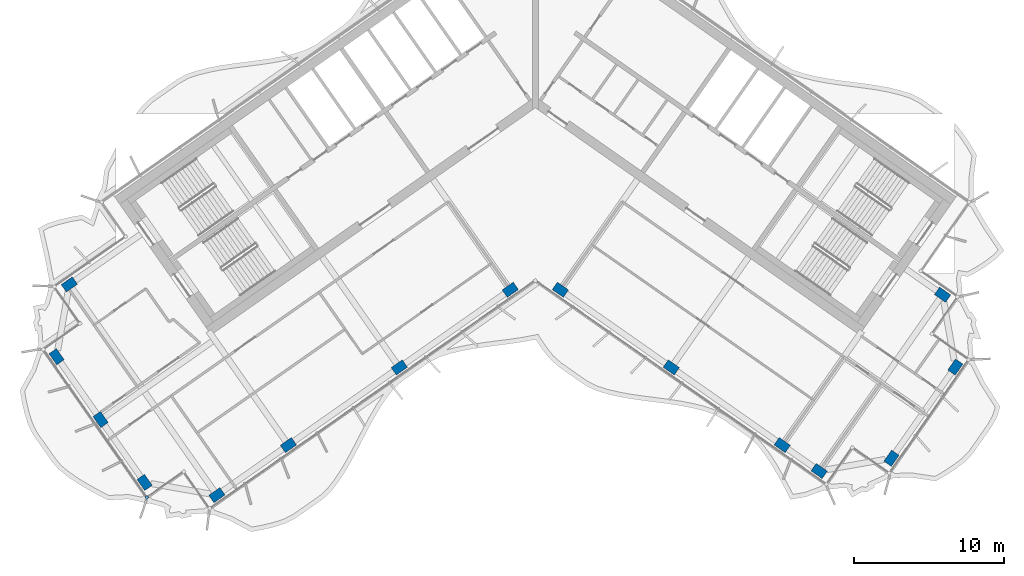
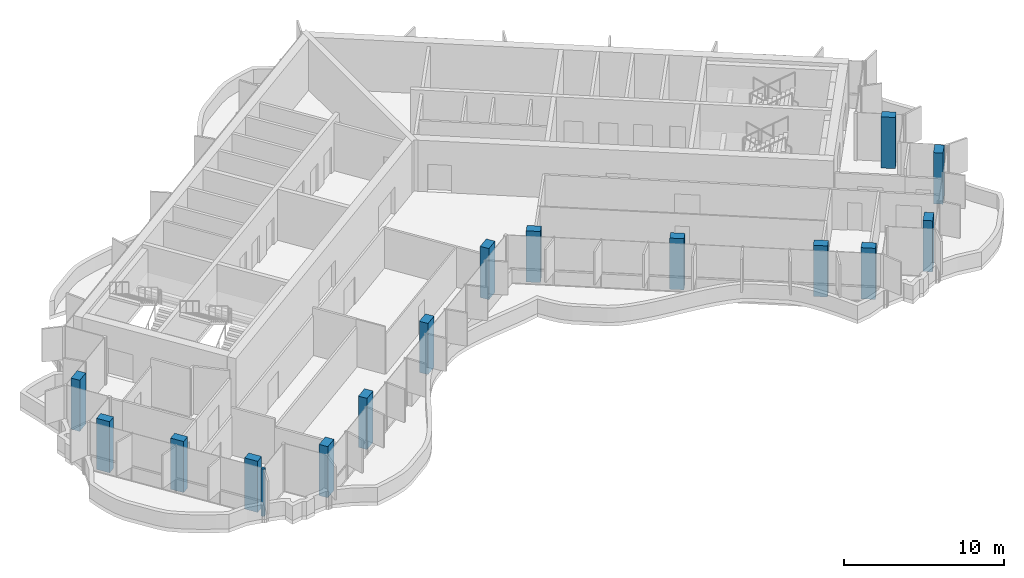
# One storey, part 1 of 17: 15 columns, 1 member, 1 element without a shape of its own.
"""IFC4 building model written with IfcOpenShell, lengths in metres."""

from ifc_helpers import new_model, si_unit, direction, frame, origin, origin_2d, place, context, subcontext, project, spatial, rectangle, extrude, material, material_profile, profile_set, type_object, element, aggregate, save


model = new_model("IFC4")

# Units and contexts
model_context = context("Model", 3, precision=1e-05, world=origin(), true_north=direction((0.0, 1.0)))
body_context = subcontext(model_context, "Body", "Model", "MODEL_VIEW")
ifc_project = project(units=[si_unit("LENGTHUNIT", "METRE"), si_unit("AREAUNIT", "SQUARE_METRE"), si_unit("VOLUMEUNIT", "CUBIC_METRE"), si_unit("PLANEANGLEUNIT", "RADIAN"), si_unit("MASSUNIT", "GRAM", prefix="KILO")], contexts=[model_context])

# Site, building, storey
site_placement = place(None, origin())
site = spatial("IfcSite", under=ifc_project, at=site_placement, CompositionType="ELEMENT")
building_placement = place(site_placement, origin())
building = spatial("IfcBuilding", under=site, at=building_placement, Name="Tel Ilan Convention Tower", CompositionType="ELEMENT")
storey_placement = place(building_placement, frame((0.0, 0.0, 287.800048828125)))
storey = spatial("IfcBuildingStorey", under=building, at=storey_placement, Name="L68", CompositionType="ELEMENT", Elevation=287.800048828125)

# Columns
ifc_material_1 = material(Name="Concrete C40/50", Category="concrete")
ifc_material_profile_1 = material_profile(ifc_material_1, rectangle(XDim=0.89990234375, YDim=0.60009765625, at=origin_2d()), Name="RC 600x900")
ifc_profile_set_1 = profile_set([ifc_material_profile_1], Name="Concrete C40/50")
column_type = type_object("IfcColumnType", Name="Column RC 600x900 C40/50", PredefinedType="COLUMN", material=ifc_profile_set_1)
for number, where, z_axis, x_axis, name in (
    (1, (-1.665283203125, -13.312744140625, 0.0), (0.0, 0.0, 1.0), (-0.819152044289, -0.573576436351, 0.0), "L68 column W-F1"),
    (2, (-9.03759765625, -18.474853515625, 0.0), (0.0, 0.0, 1.0), (-0.819152044289, -0.573576436351, 0.0), "L68 column W-F2"),
    (3, (-16.409912109375, -23.63720703125, 0.0), (0.0, 0.0, 1.0), (-0.819152044289, -0.573576436351, 0.0), "L68 column W-F3"),
    (4, (-21.1611328125, -26.9638671875, 0.0), (0.0, 0.0, 1.0), (-0.819152044289, -0.573576436351, 0.0), "L68 column W-FC"),
    (5, (-30.96923828125, -12.956298828125, 0.0), (0.0, 0.0, 1.0), (-0.819152044289, -0.573576436351, 0.0), "L68 column W-BC"),
    (6, (-25.966064453125, -26.11669921875, 0.0), (0.0, 0.0, 1.0), (-0.573576436351, 0.819152044289, 0.0), "L68 column W-E1"),
    (7, (-28.891357421875, -21.93896484375, 0.0), (0.0, 0.0, 1.0), (-0.573576436351, 0.819152044289, 0.0), "L68 column W-E2"),
    (8, (-31.81640625, -17.76123046875, 0.0), (0.0, 0.0, 1.0), (-0.573576436351, 0.819152044289, 0.0), "L68 column W-E3"),
    (9, (1.665283203125, -13.312744140625, 0.0), (0.0, 0.0, 1.0), (0.819152044289, -0.573576436351, 0.0), "L68 column E-F1"),
    (10, (9.03759765625, -18.474853515625, 0.0), (0.0, 0.0, 1.0), (0.819152044289, -0.573576436351, 0.0), "L68 column E-F2"),
    (11, (16.409912109375, -23.63720703125, 0.0), (0.0, 0.0, 1.0), (0.819152044289, -0.573576436351, 0.0), "L68 column E-F3"),
    (12, (18.867431640625, -25.35791015625, 0.0), (0.0, 0.0, 1.0), (0.819152044289, -0.573576436351, 0.0), "L68 column E-FC"),
    (13, (27.069580078125, -13.64404296875, 0.0), (0.0, 0.0, 1.0), (0.819152044289, -0.573576436351, 0.0), "L68 column E-BC"),
    (14, (23.67236328125, -24.510498046875, 0.0), (0.0, 0.0, 1.0), (0.573576436351, 0.819152044289, 0.0), "L68 column E-E1"),
    (15, (27.9169921875, -18.448974609375, 0.0), (0.0, 0.0, 1.0), (0.573576436351, 0.819152044289, 0.0), "L68 column E-E2"),
):
    element("IfcColumn", number, at=place(storey_placement, frame(where, z_axis=z_axis, x_axis=x_axis)), inside=storey, type_object=column_type, Name=name, PredefinedType="COLUMN", context=body_context, shape_type="SweptSolid", body=[
        extrude(rectangle(XDim=0.89990234375, YDim=0.60009765625, at=origin_2d()), origin(), (0.0, 0.0, 1.0), 3.89990234375),
    ])

# Curtain wall, member
ifc_material_2 = material(Name="Aluminium, bronze anodised", Category="aluminium")
curtain_wall_type = type_object("IfcCurtainWallType", Name="CW5 STICK CURTAIN WALL, UPPER OFFICE LOW-IRON TINTED GLASS", PredefinedType="NOTDEFINED", material=ifc_material_2)
curtain_wall_placement = place(storey_placement, origin())
curtain_wall = element("IfcCurtainWall", 16, at=curtain_wall_placement, inside=storey, type_object=curtain_wall_type, Name="Curtain wall CW5-51.02", PredefinedType="NOTDEFINED")
ifc_material_3 = material(Name="Aluminium, bronze anodised", Category="aluminium")
ifc_material_profile_2 = material_profile(ifc_material_3, rectangle(XDim=0.199951171875, YDim=0.199951171875, at=origin_2d()), Name="CW CORNER MULLION 200x200")
ifc_profile_set_2 = profile_set([ifc_material_profile_2], Name="Aluminium, bronze anodised")
member_type = type_object("IfcMemberType", Name="CW CORNER MULLION 200x200", PredefinedType="MULLION", material=ifc_profile_set_2)
member_placement = place(storey_placement, frame((-25.818359375, -27.112060546875, 0.0), z_axis=(0.0, 0.0, 1.0), x_axis=(0.573576436351, -0.819152044289, 0.0)))
member = element("IfcMember", 17, at=member_placement, type_object=member_type, Name="Corner mullion", PredefinedType="MULLION", context=body_context, shape_type="SweptSolid", body=[
    extrude(rectangle(XDim=0.199951171875, YDim=0.199951171875, at=origin_2d()), origin(), (0.0, 0.0, 1.0), 3.619873046875),
])
aggregate(curtain_wall, [member])

save(model, "model.ifc")
